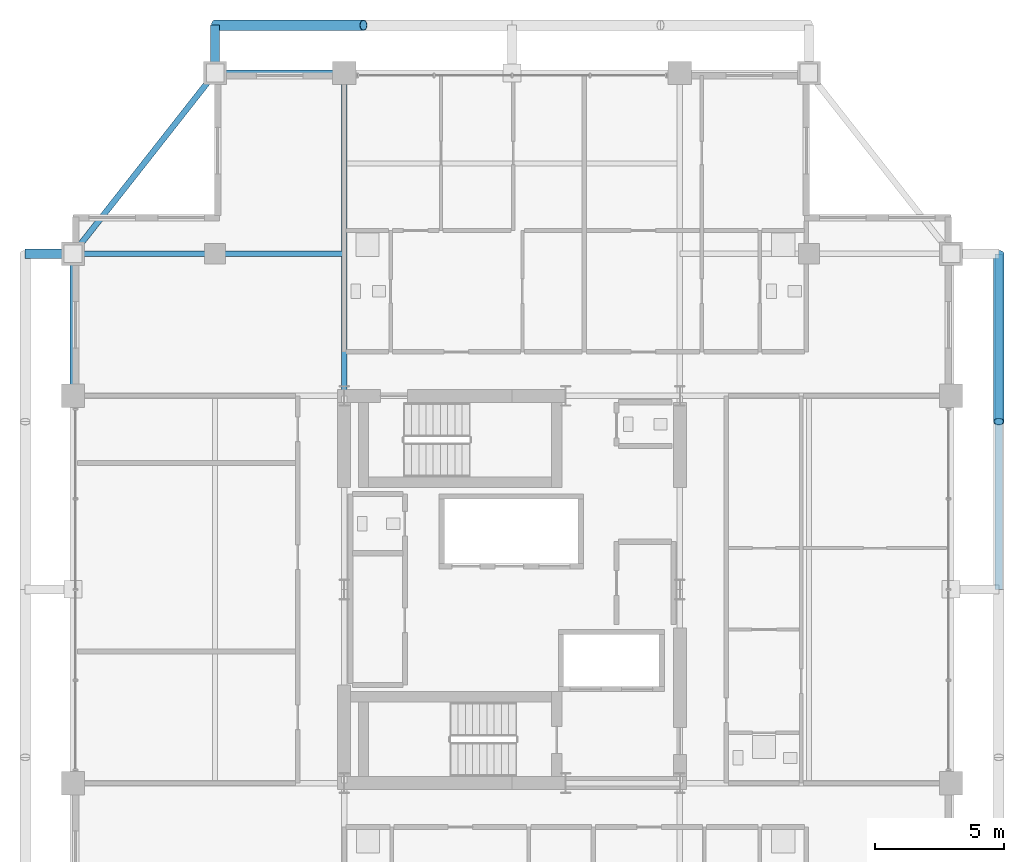
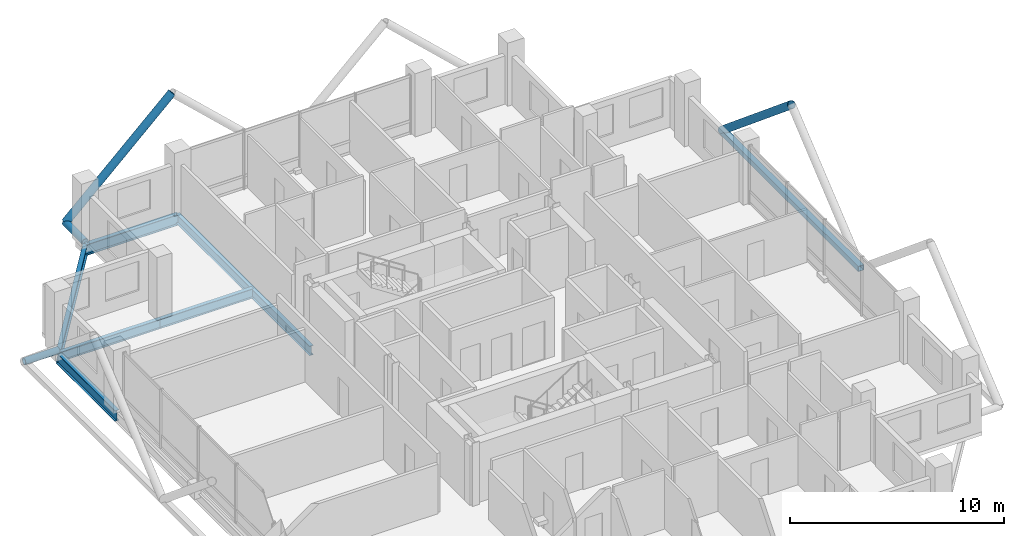
# One storey, part 14 of 24: 6 beams, 5 members.
"""IFC4 building model written with IfcOpenShell, lengths in metres."""

from ifc_helpers import new_model, si_unit, direction, frame, origin, origin_2d, place, context, subcontext, project, spatial, hollow_rectangle, hollow_circle, i_section, extrude, material, material_profile, profile_set, type_object, element, save


model = new_model("IFC4")

# Units and contexts
model_context = context("Model", 3, precision=1e-05, world=origin(), true_north=direction((0.0, 1.0)))
body_context = subcontext(model_context, "Body", "Model", "MODEL_VIEW")
ifc_project = project(units=[si_unit("LENGTHUNIT", "METRE"), si_unit("AREAUNIT", "SQUARE_METRE"), si_unit("VOLUMEUNIT", "CUBIC_METRE"), si_unit("PLANEANGLEUNIT", "RADIAN"), si_unit("MASSUNIT", "GRAM", prefix="KILO")], contexts=[model_context])

# Site, building, storey
site_placement = place(None, origin())
site = spatial("IfcSite", under=ifc_project, at=site_placement, CompositionType="ELEMENT")
building_placement = place(site_placement, origin())
building = spatial("IfcBuilding", under=site, at=building_placement, Name="Barlavira Tower and Art Museum", CompositionType="ELEMENT")
storey_placement = place(building_placement, frame((0.0, 0.0, 240.300048828125)))
storey = spatial("IfcBuildingStorey", under=building, at=storey_placement, Name="L62", CompositionType="ELEMENT", Elevation=240.300048828125)

# Members
ifc_material = material(Name="Steel S355", Category="steel")
ifc_material_profile_1 = material_profile(ifc_material, hollow_circle(Radius=0.203125, WallThickness=0.01611328125, at=origin_2d()), Name="CHS 406.4x16.0")
ifc_profile_set_1 = profile_set([ifc_material_profile_1], Name="Steel S355")
member_type_1 = type_object("IfcMemberType", Name="Pale-Metal Exoskeleton Diagrid Tube CHS 406x16 Steel S355", PredefinedType="BRACE", material=ifc_profile_set_1)
member_1_placement = place(storey_placement, frame((-11.5, 21.85009765625, -0.1201171875), z_axis=(0.728934650808, 0.0, 0.684583285548), x_axis=(0.0, 1.0, 0.0)))
element("IfcMember", 1, at=member_1_placement, inside=storey, type_object=member_type_1, Name="L62 Exoskeleton Diagrid Tube N", PredefinedType="BRACE", context=body_context, shape_type="SweptSolid", body=[
    extrude(hollow_circle(Radius=0.203125, WallThickness=0.01611328125, at=origin_2d()), origin(), (0.0, 0.0, 1.0), 7.88818359375),
])
member_2_placement = place(storey_placement, frame((18.85009765625, 13.0, -0.1201171875), z_axis=(0.0, -0.76918185268, 0.639029950399), x_axis=(1.0, 0.0, 0.0)))
element("IfcMember", 2, at=member_2_placement, inside=storey, type_object=member_type_1, Name="L62 Exoskeleton Diagrid Tube E", PredefinedType="BRACE", context=body_context, shape_type="SweptSolid", body=[
    extrude(hollow_circle(Radius=0.203125, WallThickness=0.01611328125, at=origin_2d()), origin(), (0.0, 0.0, 1.0), 8.450439453125),
])
ifc_material_profile_2 = material_profile(ifc_material, hollow_circle(Radius=0.177734375, WallThickness=0.01611328125, at=origin_2d()), Name="CHS 355.6x16.0")
ifc_profile_set_2 = profile_set([ifc_material_profile_2], Name="Steel S355")
member_type_2 = type_object("IfcMemberType", Name="Pale-Metal Exoskeleton Tie Strut CHS 356x16 Steel S355", PredefinedType="STRUT", material=ifc_profile_set_2)
for number, where, z_axis, x_axis, name in (
    (3, (-11.5, 21.85009765625, -0.1201171875), (0.0, -1.0, 0.0), (1.0, 0.0, 0.0), "L62 Exoskeleton Tie Strut N1"),
    (4, (-18.85009765625, 13.0, -0.1201171875), (1.0, 0.0, 0.0), (0.0, 1.0, 0.0), "L62 Exoskeleton Tie Strut W3"),
):
    element("IfcMember", number, at=place(storey_placement, frame(where, z_axis=z_axis, x_axis=x_axis)), inside=storey, type_object=member_type_2, Name=name, PredefinedType="STRUT", context=body_context, shape_type="SweptSolid", body=[
        extrude(hollow_circle(Radius=0.177734375, WallThickness=0.01611328125, at=origin_2d()), origin(), (0.0, 0.0, 1.0), 1.85009765625),
    ])
ifc_material_profile_3 = material_profile(ifc_material, hollow_rectangle(XDim=0.300048828125, YDim=0.300048828125, WallThickness=0.01611328125, at=origin_2d()), Name="SHS 300x300x16.0")
ifc_profile_set_3 = profile_set([ifc_material_profile_3], Name="Steel S355")
member_type_3 = type_object("IfcMemberType", Name="Pale-Metal Upper Ring Strut SHS 300x300x16 Steel S355", PredefinedType="STRUT", material=ifc_profile_set_3)
member_3_placement = place(storey_placement, frame((18.85009765625, 0.0, -0.1201171875), z_axis=(0.0, 1.0, 0.0), x_axis=(-1.0, 0.0, 0.0)))
element("IfcMember", 5, at=member_3_placement, inside=storey, type_object=member_type_3, Name="L62 Exoskeleton Ring Strut E", PredefinedType="STRUT", context=body_context, shape_type="SweptSolid", body=[
    extrude(hollow_rectangle(XDim=0.300048828125, YDim=0.300048828125, WallThickness=0.01611328125, at=origin_2d()), origin(), (0.0, 0.0, 1.0), 13.0),
])

# Beams
ifc_material_profile_4 = material_profile(ifc_material, i_section(OverallWidth=0.22998046875, OverallDepth=0.616943359375, WebThickness=0.01318359375, FlangeThickness=0.022216796875, at=origin_2d()), Name="W610x140.0")
ifc_profile_set_4 = profile_set([ifc_material_profile_4], Name="Steel S355")
beam_type_1 = type_object("IfcBeamType", Name="Upper Shaft Spandrel Edge Beam W610x140 Steel S355", PredefinedType="SPANDREL", material=ifc_profile_set_4)
beam_1_placement = place(storey_placement, frame((-11.5, 20.0, -0.528564453125), z_axis=(1.0, 0.0, 0.0), x_axis=(0.0, 1.0, 0.0)))
element("IfcBeam", 6, at=beam_1_placement, inside=storey, type_object=beam_type_1, Name="L62 Spandrel 11", PredefinedType="SPANDREL", context=body_context, shape_type="SweptSolid", body=[
    extrude(i_section(OverallWidth=0.22998046875, OverallDepth=0.616943359375, WebThickness=0.01318359375, FlangeThickness=0.022216796875, at=origin_2d()), origin(), (0.0, 0.0, 1.0), 5.0),
])
beam_2_placement = place(storey_placement, frame((-11.5, 20.0, -0.528564453125), z_axis=(-0.617821551932, -0.786318338822, 0.0), x_axis=(0.786318338822, -0.617821551932, 0.0)))
element("IfcBeam", 7, at=beam_2_placement, inside=storey, type_object=beam_type_1, Name="L62 Spandrel 12", PredefinedType="SPANDREL", context=body_context, shape_type="SweptSolid", body=[
    extrude(i_section(OverallWidth=0.22998046875, OverallDepth=0.616943359375, WebThickness=0.01318359375, FlangeThickness=0.022216796875, at=origin_2d()), origin(), (0.0, 0.0, 1.0), 8.90234375),
])
beam_3_placement = place(storey_placement, frame((-17.0, 7.5, -0.528564453125), z_axis=(0.0, 1.0, 0.0), x_axis=(-1.0, 0.0, 0.0)))
element("IfcBeam", 8, at=beam_3_placement, inside=storey, type_object=beam_type_1, Name="L62 Spandrel 13", PredefinedType="SPANDREL", context=body_context, shape_type="SweptSolid", body=[
    extrude(i_section(OverallWidth=0.22998046875, OverallDepth=0.616943359375, WebThickness=0.01318359375, FlangeThickness=0.022216796875, at=origin_2d()), origin(), (0.0, 0.0, 1.0), 5.5),
])
ifc_material_profile_5 = material_profile(ifc_material, i_section(OverallWidth=0.2109375, OverallDepth=0.5390625, WebThickness=0.01171875, FlangeThickness=0.018798828125, at=origin_2d()), Name="W530x109.0")
ifc_profile_set_5 = profile_set([ifc_material_profile_5], Name="Steel S355")
beam_type_2 = type_object("IfcBeamType", Name="Zone 3-4 Primary Floor Girder W530x109 Steel S355", PredefinedType="BEAM", material=ifc_profile_set_5)
beam_4_placement = place(storey_placement, frame((-6.5, 7.5, -0.489501953125), z_axis=(0.0, 1.0, 0.0), x_axis=(-1.0, 0.0, 0.0)))
element("IfcBeam", 9, at=beam_4_placement, inside=storey, type_object=beam_type_2, Name="L62 Girder R-N1", PredefinedType="BEAM", context=body_context, shape_type="SweptSolid", body=[
    extrude(i_section(OverallWidth=0.2109375, OverallDepth=0.5390625, WebThickness=0.01171875, FlangeThickness=0.018798828125, at=origin_2d()), origin(), (0.0, 0.0, 1.0), 12.5),
])
beam_5_placement = place(storey_placement, frame((-17.0, 13.0, -0.489501953125), z_axis=(1.0, 0.0, 0.0), x_axis=(0.0, 1.0, 0.0)))
element("IfcBeam", 10, at=beam_5_placement, inside=storey, type_object=beam_type_2, Name="L62 Girder I-N1", PredefinedType="BEAM", context=body_context, shape_type="SweptSolid", body=[
    extrude(i_section(OverallWidth=0.2109375, OverallDepth=0.5390625, WebThickness=0.01171875, FlangeThickness=0.018798828125, at=origin_2d()), origin(), (0.0, 0.0, 1.0), 5.5),
])
beam_6_placement = place(storey_placement, frame((-11.5, 13.0, -0.489501953125), z_axis=(1.0, 0.0, 0.0), x_axis=(0.0, 1.0, 0.0)))
element("IfcBeam", 11, at=beam_6_placement, inside=storey, type_object=beam_type_2, Name="L62 Girder I-N2", PredefinedType="BEAM", context=body_context, shape_type="SweptSolid", body=[
    extrude(i_section(OverallWidth=0.2109375, OverallDepth=0.5390625, WebThickness=0.01171875, FlangeThickness=0.018798828125, at=origin_2d()), origin(), (0.0, 0.0, 1.0), 5.0),
])

save(model, "model.ifc")
